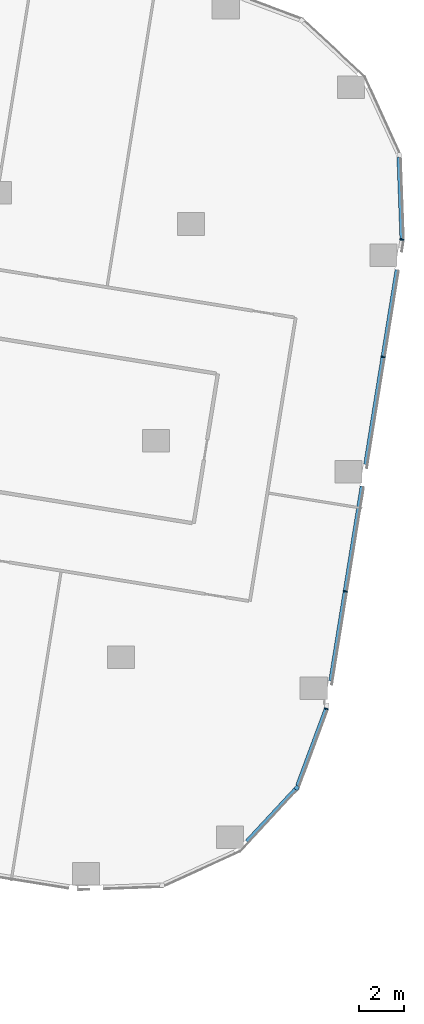
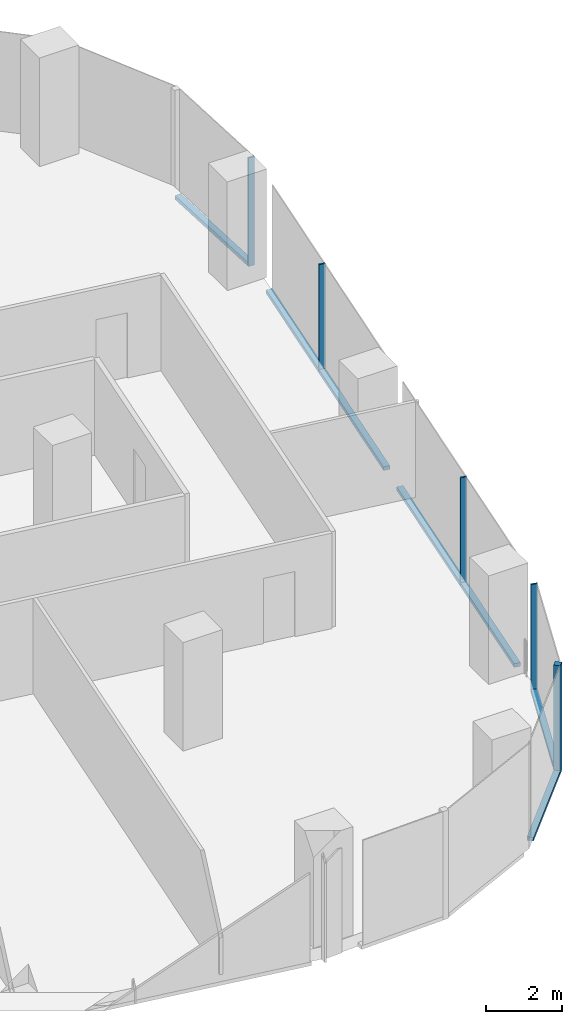
# One storey, part 10 of 34: 10 members, 4 elements without a shape of their own.
"""IFC4 building model written with IfcOpenShell, lengths in metres."""

from ifc_helpers import new_model, si_unit, direction, frame, origin, origin_2d, place, context, subcontext, project, spatial, rectangle, extrude, material, material_profile, profile_set, type_object, element, aggregate, save


model = new_model("IFC4")

# Units and contexts
model_context = context("Model", 3, precision=1e-05, world=origin(), true_north=direction((0.0, 1.0)))
body_context = subcontext(model_context, "Body", "Model", "MODEL_VIEW")
ifc_project = project(units=[si_unit("LENGTHUNIT", "METRE"), si_unit("AREAUNIT", "SQUARE_METRE"), si_unit("VOLUMEUNIT", "CUBIC_METRE"), si_unit("PLANEANGLEUNIT", "RADIAN"), si_unit("MASSUNIT", "GRAM", prefix="KILO")], contexts=[model_context])

# Site, building, storey
site_placement = place(None, origin())
site = spatial("IfcSite", under=ifc_project, at=site_placement, CompositionType="ELEMENT")
building_placement = place(site_placement, origin())
building = spatial("IfcBuilding", under=site, at=building_placement, Name="Orlundy Tower", CompositionType="ELEMENT")
storey_placement = place(building_placement, frame((0.0, 0.0, 127.199951171875)))
storey = spatial("IfcBuildingStorey", under=building, at=storey_placement, Name="L32", CompositionType="ELEMENT", Elevation=127.199951171875)

# Curtain wall, member
ifc_material_1 = material(Name="Aluminium bronze anodised", Category="aluminium")
curtain_wall_type = type_object("IfcCurtainWallType", Name="CW1 wall", PredefinedType="NOTDEFINED", material=ifc_material_1)
curtain_wall_1_placement = place(storey_placement, origin())
curtain_wall_1 = element("IfcCurtainWall", 1, at=curtain_wall_1_placement, inside=storey, type_object=curtain_wall_type, Name="CW1 run 013", PredefinedType="NOTDEFINED")
ifc_material_2 = material(Name="Aluminium bronze anodised", Category="aluminium")
ifc_material_profile_1 = material_profile(ifc_material_2, rectangle(XDim=0.179931640625, YDim=0.179931640625, at=origin_2d()), Name="CW1 corner post 180x180")
ifc_profile_set_1 = profile_set([ifc_material_profile_1], Name="Aluminium bronze anodised")
member_type_1 = type_object("IfcMemberType", Name="CW1 corner post 180x180", PredefinedType="MULLION", material=ifc_profile_set_1)
member_1_placement = place(storey_placement, frame((55.85205078125, -23.3671875, -0.39990234375), z_axis=(0.0, 0.0, 1.0), x_axis=(0.732274349196, -0.681009748469, 0.0)))
member_1 = element("IfcMember", 2, at=member_1_placement, type_object=member_type_1, Name="CW1 mullion 41", PredefinedType="MULLION", context=body_context, shape_type="SweptSolid", body=[
    extrude(rectangle(XDim=0.179931640625, YDim=0.179931640625, at=origin_2d()), origin(), (0.0, 0.0, 1.0), 3.5),
])

# Curtain wall, members
curtain_wall_2_placement = place(storey_placement, origin())
curtain_wall_2 = element("IfcCurtainWall", 3, at=curtain_wall_2_placement, inside=storey, type_object=curtain_wall_type, Name="CW1 run 011", PredefinedType="NOTDEFINED")
ifc_material_3 = material(Name="Aluminium bronze anodised", Category="aluminium")
ifc_material_profile_2 = material_profile(ifc_material_3, rectangle(XDim=0.179931640625, YDim=0.050048828125, at=origin_2d()), Name="CW1 mullion 50x180")
ifc_profile_set_2 = profile_set([ifc_material_profile_2], Name="Aluminium bronze anodised")
member_type_2 = type_object("IfcMemberType", Name="CW1 mullion 50x180", PredefinedType="MULLION", material=ifc_profile_set_2)
member_2_placement = place(storey_placement, frame((60.503173828125, 0.88134765625, -0.39990234375), z_axis=(0.0, 0.0, 1.0), x_axis=(0.998091535711, -0.061751812466, 0.0)))
member_2 = element("IfcMember", 4, at=member_2_placement, type_object=member_type_2, Name="CW1 mullion 36", PredefinedType="MULLION", context=body_context, shape_type="SweptSolid", body=[
    extrude(rectangle(XDim=0.179931640625, YDim=0.050048828125, at=origin_2d()), origin(), (0.0, 0.0, 1.0), 3.5),
])
member_3_placement = place(storey_placement, frame((59.665283203125, -4.310302734375, -0.39990234375), z_axis=(0.0, 0.0, 1.0), x_axis=(0.987225178566, -0.159331248677, 0.0)))
member_3 = element("IfcMember", 5, at=member_3_placement, type_object=member_type_2, Name="CW1 mullion 37", PredefinedType="MULLION", context=body_context, shape_type="SweptSolid", body=[
    extrude(rectangle(XDim=0.179931640625, YDim=0.050048828125, at=origin_2d()), origin(), (0.0, 0.0, 1.0), 3.5),
])
member_4_placement = place(storey_placement, frame((57.992431640625, -14.67626953125, -0.39990234375), z_axis=(0.0, 0.0, 1.0), x_axis=(0.987225178566, -0.159331248677, 0.0)))
member_4 = element("IfcMember", 6, at=member_4_placement, type_object=member_type_2, Name="CW1 mullion 39", PredefinedType="MULLION", context=body_context, shape_type="SweptSolid", body=[
    extrude(rectangle(XDim=0.179931640625, YDim=0.050048828125, at=origin_2d()), origin(), (0.0, 0.0, 1.0), 3.5),
])

# Curtain wall, member
curtain_wall_3_placement = place(storey_placement, origin())
curtain_wall_3 = element("IfcCurtainWall", 7, at=curtain_wall_3_placement, inside=storey, type_object=curtain_wall_type, Name="CW1 run 012", PredefinedType="NOTDEFINED")
member_5_placement = place(storey_placement, frame((57.154541015625, -19.8681640625, -0.39990234375), z_axis=(0.0, 0.0, 1.0), x_axis=(0.966861234208, -0.255302475086, 0.0)))
member_5 = element("IfcMember", 8, at=member_5_placement, type_object=member_type_2, Name="CW1 mullion 40", PredefinedType="MULLION", context=body_context, shape_type="SweptSolid", body=[
    extrude(rectangle(XDim=0.179931640625, YDim=0.050048828125, at=origin_2d()), origin(), (0.0, 0.0, 1.0), 3.5),
])

curtain_wall_4_placement = place(storey_placement, origin())
curtain_wall_4 = element("IfcCurtainWall", 9, at=curtain_wall_4_placement, inside=storey, type_object=curtain_wall_type, Name="CW1 run 010", PredefinedType="NOTDEFINED")
ifc_material_4 = material(Name="Aluminium bronze anodised", Category="aluminium")
ifc_material_profile_3 = material_profile(ifc_material_4, rectangle(XDim=0.179931640625, YDim=0.1201171875, at=origin_2d()), Name="CW1 transom 180x120")
ifc_profile_set_3 = profile_set([ifc_material_profile_3], Name="Aluminium bronze anodised")
member_type_3 = type_object("IfcMemberType", Name="CW1 transom 180x120", PredefinedType="USERDEFINED", material=ifc_profile_set_3)
member_6_placement = place(storey_placement, frame((60.37060546875, 4.522216796875, -0.33984375), z_axis=(0.036437636837, -0.999335928816, 0.0), x_axis=(0.999335928816, 0.036437636837, 0.0)))
member_6 = element("IfcMember", 10, at=member_6_placement, type_object=member_type_3, Name="CW1 transom", ObjectType="TRANSOM", PredefinedType="USERDEFINED", context=body_context, shape_type="SweptSolid", body=[
    extrude(rectangle(XDim=0.179931640625, YDim=0.1201171875, at=origin_2d()), origin(), (0.0, 0.0, 1.0), 3.6181640625),
])
aggregate(curtain_wall_4, [member_6])

# Member
member_7_placement = place(storey_placement, frame((60.287353515625, -0.45703125, -0.33984375), z_axis=(-0.15934776008, -0.987222513599, 0.0), x_axis=(0.987222513599, -0.15934776008, 0.0)))
member_7 = element("IfcMember", 11, at=member_7_placement, type_object=member_type_3, Name="CW1 transom", ObjectType="TRANSOM", PredefinedType="USERDEFINED", context=body_context, shape_type="SweptSolid", body=[
    extrude(rectangle(XDim=0.179931640625, YDim=0.1201171875, at=origin_2d()), origin(), (0.0, 0.0, 1.0), 8.71923828125),
])

member_8_placement = place(storey_placement, frame((58.74169921875, -10.032958984375, -0.33984375), z_axis=(-0.159323145254, -0.987226486368, 0.0), x_axis=(0.987226486368, -0.159323145254, 0.0)))
member_8 = element("IfcMember", 12, at=member_8_placement, type_object=member_type_3, Name="CW1 transom", ObjectType="TRANSOM", PredefinedType="USERDEFINED", context=body_context, shape_type="SweptSolid", body=[
    extrude(rectangle(XDim=0.179931640625, YDim=0.1201171875, at=origin_2d()), origin(), (0.0, 0.0, 1.0), 8.716064453125),
])

aggregate(curtain_wall_2, [member_2, member_3, member_4, member_7, member_8])

member_9_placement = place(storey_placement, frame((57.145751953125, -19.8916015625, -0.33984375), z_axis=(-0.34885524219, -0.937176621559, 0.0), x_axis=(0.937176621559, -0.34885524219, 0.0)))
member_9 = element("IfcMember", 13, at=member_9_placement, type_object=member_type_3, Name="CW1 transom", ObjectType="TRANSOM", PredefinedType="USERDEFINED", context=body_context, shape_type="SweptSolid", body=[
    extrude(rectangle(XDim=0.179931640625, YDim=0.1201171875, at=origin_2d()), origin(), (0.0, 0.0, 1.0), 3.611083984375),
])

aggregate(curtain_wall_3, [member_5, member_9])

member_10_placement = place(storey_placement, frame((55.790771484375, -23.43310546875, -0.33984375), z_axis=(-0.681025545886, -0.732259657397, 0.0), x_axis=(0.732259657397, -0.681025545886, 0.0)))
member_10 = element("IfcMember", 14, at=member_10_placement, type_object=member_type_3, Name="CW1 transom", ObjectType="TRANSOM", PredefinedType="USERDEFINED", context=body_context, shape_type="SweptSolid", body=[
    extrude(rectangle(XDim=0.179931640625, YDim=0.1201171875, at=origin_2d()), origin(), (0.0, 0.0, 1.0), 3.14501953125),
])

aggregate(curtain_wall_1, [member_1, member_10])

save(model, "model.ifc")
